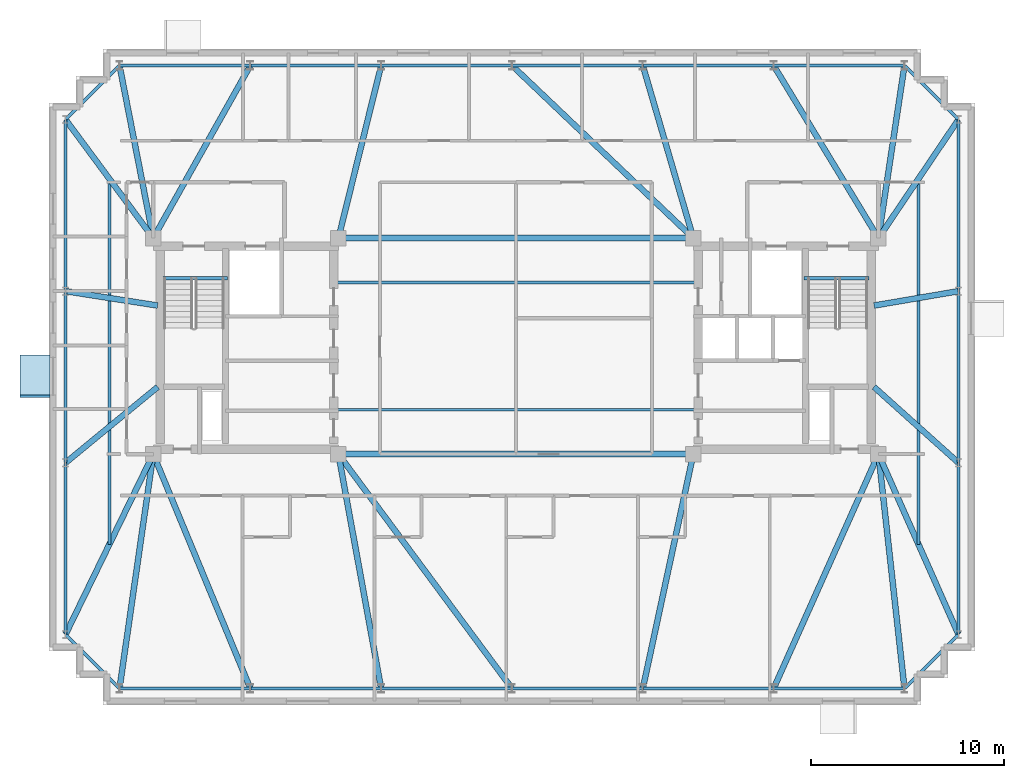
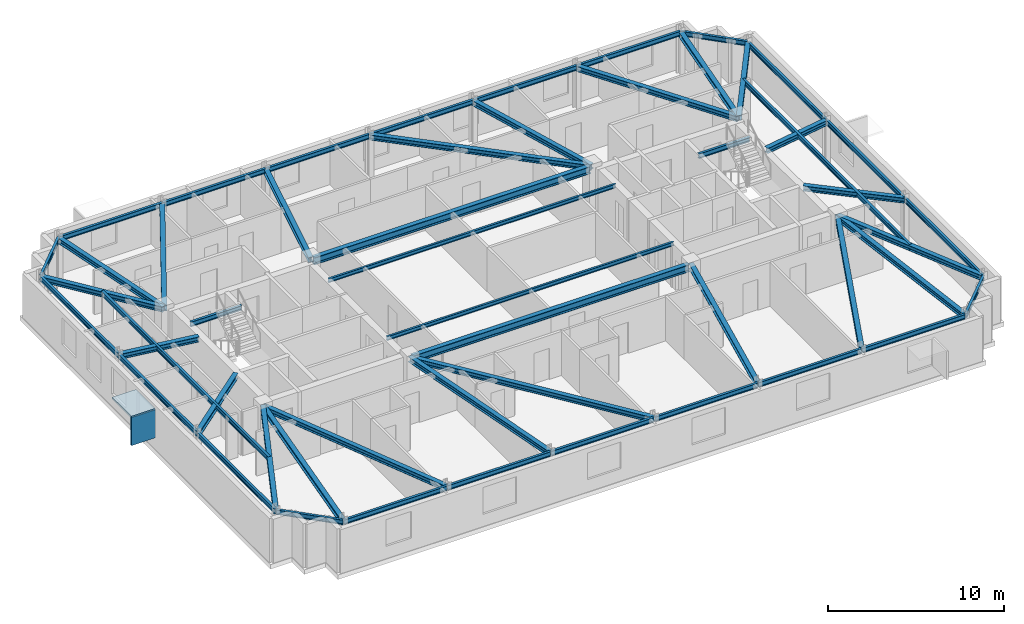
# One storey, part 4 of 11: 52 beams, 2 plates.
"""IFC4 building model written with IfcOpenShell, lengths in metres."""

import ifcopenshell
import ifcopenshell.guid

model = None  # the IFC model being written
_history = None  # IfcOwnerHistory: only IFC2X3 demands one
_inside = {}  # id of a spatial element -> (the spatial element, [elements in it])
_under = {}  # id of a project, library or spatial element -> (it, [spatial elements below it])
_declared = {}  # id of a project -> (the project, [libraries it declares])
_typed = {}  # id of a type object -> (the type object, [elements of that type])
_made_of = {}  # id of a material, layer set ... -> (it, [elements and type objects made of it])


def new_model(schema):
    """Start an empty IFC model of exactly this schema.

    Asked for "IFC4X3", IfcOpenShell would pick the latest addendum, in which some entities
    have other attributes; the version numbers below select the first issue.
    IFC2X3 requires an IfcOwnerHistory on every rooted entity: one is made here for all.
    """
    global model, _history
    if schema == "IFC4X3":
        model = ifcopenshell.file(schema_version=(4, 3, 0, 0))
    else:
        model = ifcopenshell.file(schema=schema)
    _inside.clear()
    _under.clear()
    _declared.clear()
    _typed.clear()
    _made_of.clear()
    _history = None
    if model.schema == "IFC2X3":
        org = make("IfcOrganization", Name="unknown")
        user = make(
            "IfcPersonAndOrganization",
            ThePerson=make("IfcPerson", FamilyName="unknown"),
            TheOrganization=org,
        )
        app = make(
            "IfcApplication",
            ApplicationDeveloper=org,
            Version="unknown",
            ApplicationFullName="unknown",
            ApplicationIdentifier="unknown",
        )
        _history = make(
            "IfcOwnerHistory",
            OwningUser=user,
            OwningApplication=app,
            ChangeAction="ADDED",
            CreationDate=0,
        )
    return model


def make(cls, **values):
    """One entity of the class cls with the attributes given. An attribute that is None is left unset."""
    return model.create_entity(
        cls, **{name: value for name, value in values.items() if value is not None}
    )


def rooted(cls, **values):
    """An entity with a GlobalId (a new one), such as an element, a storey or a relation."""
    return make(cls, GlobalId=ifcopenshell.guid.new(), OwnerHistory=_history, **values)


def si_unit(unit_type, name, prefix=None):
    """IfcSIUnit, for example si_unit("LENGTHUNIT", "METRE", prefix="MILLI")."""
    return make("IfcSIUnit", UnitType=unit_type, Prefix=prefix, Name=name)


def assignment(units):
    """IfcUnitAssignment: the units of a project."""
    return None if units is None else make("IfcUnitAssignment", Units=units)


def point(xyz):
    """IfcCartesianPoint."""
    return None if xyz is None else make("IfcCartesianPoint", Coordinates=xyz)


def direction(xyz):
    """IfcDirection."""
    return None if xyz is None else make("IfcDirection", DirectionRatios=xyz)


def frame(location, z_axis=None, x_axis=None):
    """IfcAxis2Placement3D, a coordinate frame: its origin and axes. An axis left out is left unset."""
    return make(
        "IfcAxis2Placement3D",
        Location=point(location),
        Axis=direction(z_axis),
        RefDirection=direction(x_axis),
    )


def frame_2d(location, x_axis=None):
    """IfcAxis2Placement2D, a coordinate frame in the plane: its origin and x axis."""
    return make(
        "IfcAxis2Placement2D", Location=point(location), RefDirection=direction(x_axis)
    )


def origin():
    """The frame at (0, 0, 0) with its axes left unset."""
    return frame((0.0, 0.0, 0.0))


def origin_2d():
    """The frame at (0, 0) in the plane with its x axis left unset."""
    return frame_2d((0.0, 0.0))


def place(relative_to, where):
    """IfcLocalPlacement: puts the frame where relative to a parent placement (None: the world)."""
    return make(
        "IfcLocalPlacement", PlacementRelTo=relative_to, RelativePlacement=where
    )


def context(
    kind, dimensions, precision=None, world=None, true_north=None, identifier=None
):
    """IfcGeometricRepresentationContext, for example the 3D "Model" context."""
    return make(
        "IfcGeometricRepresentationContext",
        ContextIdentifier=identifier,
        ContextType=kind,
        CoordinateSpaceDimension=dimensions,
        Precision=precision,
        WorldCoordinateSystem=world,
        TrueNorth=true_north,
    )


def subcontext(parent, identifier, kind, view, scale=None):
    """IfcGeometricRepresentationSubContext, for example "Body" below "Model"."""
    return make(
        "IfcGeometricRepresentationSubContext",
        ContextIdentifier=identifier,
        ContextType=kind,
        ParentContext=parent,
        TargetScale=scale,
        TargetView=view,
    )


def project(units=None, contexts=None):
    """IfcProject with its units and contexts."""
    return rooted(
        "IfcProject",
        Name="project",
        RepresentationContexts=contexts,
        UnitsInContext=assignment(units),
    )


def spatial(cls, under=None, at=None, **own):
    """A site, building, storey or space (cls), placed at a placement, below another one or the project."""
    s = rooted(cls, ObjectPlacement=at, **own)
    if under is not None:
        _under.setdefault(under.id(), (under, []))[1].append(s)
    return s


def profile(cls, at=None, kind="AREA", **sizes):
    """A parametric profile (cls). Its sizes go by their IFC names, for example OverallWidth=200.0."""
    return make(cls, ProfileType=kind, Position=at, **sizes)


def rectangle(**sizes):
    """IfcRectangleProfileDef."""
    return profile("IfcRectangleProfileDef", **sizes)


def i_section(**sizes):
    """IfcIShapeProfileDef."""
    return profile("IfcIShapeProfileDef", **sizes)


def extrude(swept, where, along, depth):
    """IfcExtrudedAreaSolid: the profile swept, set in the frame where, extruded along a direction by depth."""
    return make(
        "IfcExtrudedAreaSolid",
        SweptArea=swept,
        Position=where,
        ExtrudedDirection=direction(along),
        Depth=depth,
    )


def shape(context_of_items, identifier, shape_type, items):
    """IfcShapeRepresentation: the items that make up one representation, for example the "Body"."""
    return make(
        "IfcShapeRepresentation",
        ContextOfItems=context_of_items,
        RepresentationIdentifier=identifier,
        RepresentationType=shape_type,
        Items=items,
    )


def material(Name=None, Category=None):
    """IfcMaterial."""
    return make("IfcMaterial", Name=Name, Category=Category)


def layer(
    of_material, thickness, ventilated=None, Name=None, Category=None, Priority=None
):
    """IfcMaterialLayer: one layer of a wall or slab, of a material (None: an air gap)."""
    return make(
        "IfcMaterialLayer",
        Material=of_material,
        LayerThickness=thickness,
        IsVentilated=ventilated,
        Name=Name,
        Category=Category,
        Priority=Priority,
    )


def layer_set(layers, Name=None):
    """IfcMaterialLayerSet."""
    return make("IfcMaterialLayerSet", MaterialLayers=layers, LayerSetName=Name)


def material_profile(
    of_material, cross_section, Name=None, Category=None, Priority=None
):
    """IfcMaterialProfile: a cross section and its material."""
    return make(
        "IfcMaterialProfile",
        Name=Name,
        Material=of_material,
        Profile=cross_section,
        Priority=Priority,
        Category=Category,
    )


def profile_set(profiles, Name=None, composite=None):
    """IfcMaterialProfileSet."""
    return make(
        "IfcMaterialProfileSet",
        Name=Name,
        MaterialProfiles=profiles,
        CompositeProfile=composite,
    )


def made_of(thing, what):
    """Note that an element or type object is made of a material, layer set ...; save() writes the relation."""
    if what is not None:
        _made_of.setdefault(what.id(), (what, []))[1].append(thing)
    return thing


def type_object(cls, material=None, **own):
    """A type object (cls), such as IfcWallType, which elements share."""
    return made_of(rooted(cls, **own), material)


def element(
    cls,
    number,
    at=None,
    inside=None,
    cuts=None,
    type_object=None,
    material=None,
    context=None,
    identifier="Body",
    shape_type=None,
    held_by="IfcProductDefinitionShape",
    body=None,
    shapes=None,
    **own,
):
    """One element of the class cls, such as IfcWall. Its Tag is "e" and its number.

    at: its placement. inside: the storey or other place that contains it. cuts: it is an
    opening in that element (IfcRelVoidsElement). A single representation is given by context,
    identifier, shape_type and body (its items); several are given by shapes. held_by: the class
    of the entity that holds the representations. save() writes the other relations.
    """
    e = rooted(cls, Tag="e%d" % number, ObjectPlacement=at, **own)
    if body is not None:
        shapes = [shape(context, identifier, shape_type, body)]
    if shapes is not None:
        e.Representation = make(held_by, Representations=shapes)
    if inside is not None:
        _inside.setdefault(inside.id(), (inside, []))[1].append(e)
    if cuts is not None:
        rooted(
            "IfcRelVoidsElement", RelatingBuildingElement=cuts, RelatedOpeningElement=e
        )
    if type_object is not None:
        _typed.setdefault(type_object.id(), (type_object, []))[1].append(e)
    return made_of(e, material)


def aggregate(whole, parts):
    """IfcRelAggregates: a whole, such as a stair, and the parts it consists of."""
    return rooted("IfcRelAggregates", RelatingObject=whole, RelatedObjects=parts)


def save(model, path):
    """Write the relations noted so far, then the file.

    IfcRelAggregates (storeys below a building ...), IfcRelContainedInSpatialStructure (elements
    in a storey), IfcRelDefinesByType, IfcRelAssociatesMaterial and IfcRelDeclares: one each for
    every whole, place, type object, material and project.
    """
    for whole, parts in _under.values():
        aggregate(whole, parts)
    for where, things in _inside.values():
        rooted(
            "IfcRelContainedInSpatialStructure",
            RelatedElements=things,
            RelatingStructure=where,
        )
    for kind, things in _typed.values():
        rooted("IfcRelDefinesByType", RelatedObjects=things, RelatingType=kind)
    for what, things in _made_of.values():
        rooted("IfcRelAssociatesMaterial", RelatedObjects=things, RelatingMaterial=what)
    for by, libraries in _declared.values():
        rooted("IfcRelDeclares", RelatingContext=by, RelatedDefinitions=libraries)
    model.write(path)


model = new_model("IFC4")

# Units and contexts
model_context = context("Model", 3, precision=1e-05, world=origin(), true_north=direction((0.0, 1.0)))
body_context = subcontext(model_context, "Body", "Model", "MODEL_VIEW")
ifc_project = project(units=[si_unit("LENGTHUNIT", "METRE"), si_unit("AREAUNIT", "SQUARE_METRE"), si_unit("VOLUMEUNIT", "CUBIC_METRE"), si_unit("PLANEANGLEUNIT", "RADIAN"), si_unit("MASSUNIT", "GRAM", prefix="KILO")], contexts=[model_context])

# Site, building, storey
site_placement = place(None, origin())
site = spatial("IfcSite", under=ifc_project, at=site_placement, CompositionType="ELEMENT")
building_placement = place(site_placement, origin())
building = spatial("IfcBuilding", under=site, at=building_placement, Name="Qobustan Lattice House", CompositionType="ELEMENT")
storey_placement = place(building_placement, frame((0.0, 0.0, 245.050048828125)))
storey = spatial("IfcBuildingStorey", under=building, at=storey_placement, Name="L69", CompositionType="ELEMENT", Elevation=245.050048828125)

# Beams
ifc_material_1 = material(Name="Steel S355", Category="steel")
ifc_material_profile_1 = material_profile(ifc_material_1, i_section(OverallWidth=0.300048828125, OverallDepth=0.5, WebThickness=0.014404296875, FlangeThickness=0.028076171875, FilletRadius=0.027099609375, at=origin_2d()), Name="HEB500")
ifc_profile_set_1 = profile_set([ifc_material_profile_1], Name="Steel S355")
beam_type_1 = type_object("IfcBeamType", Name="BM-CG-HEB500", PredefinedType="USERDEFINED", material=ifc_profile_set_1)
for number, where, z_axis, x_axis, name in (
    (1, (-9.050048828125, -5.60009765625, 2.7900390625), (1.0, 0.0, 0.0), (0.0, 1.0, 0.0), "L69 core spine girder CG-CS"),
    (2, (-9.050048828125, 5.60009765625, 2.7900390625), (1.0, 0.0, 0.0), (0.0, 1.0, 0.0), "L69 core spine girder CG-CN"),
):
    element("IfcBeam", number, at=place(storey_placement, frame(where, z_axis=z_axis, x_axis=x_axis)), inside=storey, type_object=beam_type_1, Name=name, ObjectType="GIRDER", PredefinedType="USERDEFINED", context=body_context, shape_type="SweptSolid", body=[
        extrude(i_section(OverallWidth=0.300048828125, OverallDepth=0.5, WebThickness=0.014404296875, FlangeThickness=0.028076171875, FilletRadius=0.027099609375, at=origin_2d()), origin(), (0.0, 0.0, 1.0), 18.10009765625),
    ])
ifc_material_2 = material(Name="Steel S355", Category="steel")
ifc_material_profile_2 = material_profile(ifc_material_2, i_section(OverallWidth=0.300048828125, OverallDepth=0.360107421875, WebThickness=0.012451171875, FlangeThickness=0.0224609375, FilletRadius=0.027099609375, at=origin_2d()), Name="HEB360")
ifc_profile_set_2 = profile_set([ifc_material_profile_2], Name="Steel S355")
beam_type_2 = type_object("IfcBeamType", Name="BM-FLG-HEB360", PredefinedType="USERDEFINED", material=ifc_profile_set_2)
beam_1_placement = place(storey_placement, frame((-20.54638671875, -17.725341796875, 2.85986328125), z_axis=(0.142545171265, 0.989788297642, 0.0), x_axis=(-0.989788297642, 0.142545171265, 0.0)))
element("IfcBeam", 3, at=beam_1_placement, inside=storey, type_object=beam_type_2, Name="L69 primary floor girder RAD-S1W", ObjectType="GIRDER", PredefinedType="USERDEFINED", context=body_context, shape_type="SweptSolid", body=[
    extrude(i_section(OverallWidth=0.300048828125, OverallDepth=0.360107421875, WebThickness=0.012451171875, FlangeThickness=0.0224609375, FilletRadius=0.027099609375, at=origin_2d()), origin(), (0.0, 0.0, 1.0), 12.225341796875),
])
beam_2_placement = place(storey_placement, frame((-13.7763671875, -17.726806640625, 2.85986328125), z_axis=(-0.38270783551, 0.92386942402, 0.0), x_axis=(-0.92386942402, -0.38270783551, 0.0)))
element("IfcBeam", 4, at=beam_2_placement, inside=storey, type_object=beam_type_2, Name="L69 primary floor girder RAD-S2", ObjectType="GIRDER", PredefinedType="USERDEFINED", context=body_context, shape_type="SweptSolid", body=[
    extrude(i_section(OverallWidth=0.300048828125, OverallDepth=0.360107421875, WebThickness=0.012451171875, FlangeThickness=0.0224609375, FilletRadius=0.027099609375, at=origin_2d()), origin(), (0.0, 0.0, 1.0), 13.10107421875),
])
beam_3_placement = place(storey_placement, frame((-6.98779296875, -17.725341796875, 2.85986328125), z_axis=(-0.179484493831, 0.983760802469, 0.0), x_axis=(-0.983760802469, -0.179484493831, 0.0)))
element("IfcBeam", 5, at=beam_3_placement, inside=storey, type_object=beam_type_2, Name="L69 primary floor girder RAD-S3", ObjectType="GIRDER", PredefinedType="USERDEFINED", context=body_context, shape_type="SweptSolid", body=[
    extrude(i_section(OverallWidth=0.300048828125, OverallDepth=0.360107421875, WebThickness=0.012451171875, FlangeThickness=0.0224609375, FilletRadius=0.027099609375, at=origin_2d()), origin(), (0.0, 0.0, 1.0), 12.300537109375),
])
beam_4_placement = place(storey_placement, frame((-0.21484375, -17.72998046875, 2.85986328125), z_axis=(-0.595225226069, 0.803558915233, 0.0), x_axis=(-0.803558915233, -0.595225226069, 0.0)))
element("IfcBeam", 6, at=beam_4_placement, inside=storey, type_object=beam_type_2, Name="L69 primary floor girder RAD-S4", ObjectType="GIRDER", PredefinedType="USERDEFINED", context=body_context, shape_type="SweptSolid", body=[
    extrude(i_section(OverallWidth=0.300048828125, OverallDepth=0.360107421875, WebThickness=0.012451171875, FlangeThickness=0.0224609375, FilletRadius=0.027099609375, at=origin_2d()), origin(), (0.0, 0.0, 1.0), 15.0703125),
])
beam_5_placement = place(storey_placement, frame((6.588623046875, -17.7255859375, 2.85986328125), z_axis=(0.210523018319, 0.977588900693, 0.0), x_axis=(-0.977588900693, 0.210523018319, 0.0)))
element("IfcBeam", 7, at=beam_5_placement, inside=storey, type_object=beam_type_2, Name="L69 primary floor girder RAD-S5", ObjectType="GIRDER", PredefinedType="USERDEFINED", context=body_context, shape_type="SweptSolid", body=[
    extrude(i_section(OverallWidth=0.300048828125, OverallDepth=0.360107421875, WebThickness=0.012451171875, FlangeThickness=0.0224609375, FilletRadius=0.027099609375, at=origin_2d()), origin(), (0.0, 0.0, 1.0), 12.37841796875),
])
beam_6_placement = place(storey_placement, frame((13.376953125, -17.727294921875, 2.85986328125), z_axis=(0.408219903586, 0.912883623643, 0.0), x_axis=(-0.912883623643, 0.408219903586, 0.0)))
element("IfcBeam", 8, at=beam_6_placement, inside=storey, type_object=beam_type_2, Name="L69 primary floor girder RAD-S6", ObjectType="GIRDER", PredefinedType="USERDEFINED", context=body_context, shape_type="SweptSolid", body=[
    extrude(i_section(OverallWidth=0.300048828125, OverallDepth=0.360107421875, WebThickness=0.012451171875, FlangeThickness=0.0224609375, FilletRadius=0.027099609375, at=origin_2d()), origin(), (0.0, 0.0, 1.0), 13.259521484375),
])
beam_7_placement = place(storey_placement, frame((20.147216796875, -17.72509765625, 2.85986328125), z_axis=(-0.110431526075, 0.993883734674, 0.0), x_axis=(-0.993883734674, -0.110431526075, 0.0)))
element("IfcBeam", 9, at=beam_7_placement, inside=storey, type_object=beam_type_2, Name="L69 primary floor girder RAD-S7E", ObjectType="GIRDER", PredefinedType="USERDEFINED", context=body_context, shape_type="SweptSolid", body=[
    extrude(i_section(OverallWidth=0.300048828125, OverallDepth=0.360107421875, WebThickness=0.012451171875, FlangeThickness=0.0224609375, FilletRadius=0.027099609375, at=origin_2d()), origin(), (0.0, 0.0, 1.0), 12.1748046875),
])
beam_8_placement = place(storey_placement, frame((-20.545166015625, 14.525390625, 2.85986328125), z_axis=(0.191905644581, -0.981413380578, 0.0), x_axis=(0.981413380578, 0.191905644581, 0.0)))
element("IfcBeam", 10, at=beam_8_placement, inside=storey, type_object=beam_type_2, Name="L69 primary floor girder RAD-N7W", ObjectType="GIRDER", PredefinedType="USERDEFINED", context=body_context, shape_type="SweptSolid", body=[
    extrude(i_section(OverallWidth=0.300048828125, OverallDepth=0.360107421875, WebThickness=0.012451171875, FlangeThickness=0.0224609375, FilletRadius=0.027099609375, at=origin_2d()), origin(), (0.0, 0.0, 1.0), 9.0693359375),
])
beam_9_placement = place(storey_placement, frame((-13.779052734375, 14.5283203125, 2.85986328125), z_axis=(-0.490160276962, -0.871632320929, 0.0), x_axis=(0.871632320929, -0.490160276962, 0.0)))
element("IfcBeam", 11, at=beam_9_placement, inside=storey, type_object=beam_type_2, Name="L69 primary floor girder RAD-N6", ObjectType="GIRDER", PredefinedType="USERDEFINED", context=body_context, shape_type="SweptSolid", body=[
    extrude(i_section(OverallWidth=0.300048828125, OverallDepth=0.360107421875, WebThickness=0.012451171875, FlangeThickness=0.0224609375, FilletRadius=0.027099609375, at=origin_2d()), origin(), (0.0, 0.0, 1.0), 10.21826171875),
])
beam_10_placement = place(storey_placement, frame((-6.9892578125, 14.525634765625, 2.85986328125), z_axis=(-0.240430288899, -0.970666408289, 0.0), x_axis=(0.970666408289, -0.240430288899, 0.0)))
element("IfcBeam", 12, at=beam_10_placement, inside=storey, type_object=beam_type_2, Name="L69 primary floor girder RAD-N5", ObjectType="GIRDER", PredefinedType="USERDEFINED", context=body_context, shape_type="SweptSolid", body=[
    extrude(i_section(OverallWidth=0.300048828125, OverallDepth=0.360107421875, WebThickness=0.012451171875, FlangeThickness=0.0224609375, FilletRadius=0.027099609375, at=origin_2d()), origin(), (0.0, 0.0, 1.0), 9.17041015625),
])
beam_11_placement = place(storey_placement, frame((-0.181884765625, 14.53271484375, 2.85986328125), z_axis=(0.724228633775, -0.689559921995, 0.0), x_axis=(0.689559921995, 0.724228633775, 0.0)))
element("IfcBeam", 13, at=beam_11_placement, inside=storey, type_object=beam_type_2, Name="L69 primary floor girder RAD-N4", ObjectType="GIRDER", PredefinedType="USERDEFINED", context=body_context, shape_type="SweptSolid", body=[
    extrude(i_section(OverallWidth=0.300048828125, OverallDepth=0.360107421875, WebThickness=0.012451171875, FlangeThickness=0.0224609375, FilletRadius=0.027099609375, at=origin_2d()), origin(), (0.0, 0.0, 1.0), 12.92919921875),
])
beam_12_placement = place(storey_placement, frame((6.59033203125, 14.52587890625, 2.85986328125), z_axis=(0.28063676088, -0.959814048888, 0.0), x_axis=(0.959814048888, 0.28063676088, 0.0)))
element("IfcBeam", 14, at=beam_12_placement, inside=storey, type_object=beam_type_2, Name="L69 primary floor girder RAD-N3", ObjectType="GIRDER", PredefinedType="USERDEFINED", context=body_context, shape_type="SweptSolid", body=[
    extrude(i_section(OverallWidth=0.300048828125, OverallDepth=0.360107421875, WebThickness=0.012451171875, FlangeThickness=0.0224609375, FilletRadius=0.027099609375, at=origin_2d()), origin(), (0.0, 0.0, 1.0), 9.274658203125),
])
beam_13_placement = place(storey_placement, frame((13.379638671875, 14.528564453125, 2.85986328125), z_axis=(0.518943895492, -0.854808302096, 0.0), x_axis=(0.854808302096, 0.518943895492, 0.0)))
element("IfcBeam", 15, at=beam_13_placement, inside=storey, type_object=beam_type_2, Name="L69 primary floor girder RAD-N2", ObjectType="GIRDER", PredefinedType="USERDEFINED", context=body_context, shape_type="SweptSolid", body=[
    extrude(i_section(OverallWidth=0.300048828125, OverallDepth=0.360107421875, WebThickness=0.012451171875, FlangeThickness=0.0224609375, FilletRadius=0.027099609375, at=origin_2d()), origin(), (0.0, 0.0, 1.0), 10.420166015625),
])
beam_14_placement = place(storey_placement, frame((20.146240234375, 14.525390625, 2.85986328125), z_axis=(-0.149148118249, -0.988814865798, 0.0), x_axis=(0.988814865798, -0.149148118249, 0.0)))
element("IfcBeam", 16, at=beam_14_placement, inside=storey, type_object=beam_type_2, Name="L69 primary floor girder RAD-N1E", ObjectType="GIRDER", PredefinedType="USERDEFINED", context=body_context, shape_type="SweptSolid", body=[
    extrude(i_section(OverallWidth=0.300048828125, OverallDepth=0.360107421875, WebThickness=0.012451171875, FlangeThickness=0.0224609375, FilletRadius=0.027099609375, at=origin_2d()), origin(), (0.0, 0.0, 1.0), 9.001220703125),
])
beam_15_placement = place(storey_placement, frame((-23.335205078125, 11.72998046875, 2.85986328125), z_axis=(0.594754993974, -0.80390702021, 0.0), x_axis=(0.80390702021, 0.594754993974, 0.0)))
element("IfcBeam", 17, at=beam_15_placement, inside=storey, type_object=beam_type_2, Name="L69 primary floor girder RAD-W1", ObjectType="GIRDER", PredefinedType="USERDEFINED", context=body_context, shape_type="SweptSolid", body=[
    extrude(i_section(OverallWidth=0.300048828125, OverallDepth=0.360107421875, WebThickness=0.012451171875, FlangeThickness=0.0224609375, FilletRadius=0.027099609375, at=origin_2d()), origin(), (0.0, 0.0, 1.0), 7.60009765625),
])
beam_16_placement = place(storey_placement, frame((-23.3251953125, 2.84619140625, 2.85986328125), z_axis=(0.988014453876, -0.154361390677, 0.0), x_axis=(0.154361390677, 0.988014453876, 0.0)))
element("IfcBeam", 18, at=beam_16_placement, inside=storey, type_object=beam_type_2, Name="L69 primary floor girder RAD-W2", ObjectType="GIRDER", PredefinedType="USERDEFINED", context=body_context, shape_type="SweptSolid", body=[
    extrude(i_section(OverallWidth=0.300048828125, OverallDepth=0.360107421875, WebThickness=0.012451171875, FlangeThickness=0.0224609375, FilletRadius=0.027099609375, at=origin_2d()), origin(), (0.0, 0.0, 1.0), 4.80810546875),
])
beam_17_placement = place(storey_placement, frame((-23.330810546875, -6.0341796875, 2.85986328125), z_axis=(0.772169041192, 0.635417163621, 0.0), x_axis=(-0.635417163621, 0.772169041192, 0.0)))
element("IfcBeam", 19, at=beam_17_placement, inside=storey, type_object=beam_type_2, Name="L69 primary floor girder RAD-W3", ObjectType="GIRDER", PredefinedType="USERDEFINED", context=body_context, shape_type="SweptSolid", body=[
    extrude(i_section(OverallWidth=0.300048828125, OverallDepth=0.360107421875, WebThickness=0.012451171875, FlangeThickness=0.0224609375, FilletRadius=0.027099609375, at=origin_2d()), origin(), (0.0, 0.0, 1.0), 6.166259765625),
])
beam_18_placement = place(storey_placement, frame((-23.339111328125, -14.927490234375, 2.85986328125), z_axis=(0.437590490598, 0.899174378271, 0.0), x_axis=(-0.899174378271, 0.437590490598, 0.0)))
element("IfcBeam", 20, at=beam_18_placement, inside=storey, type_object=beam_type_2, Name="L69 primary floor girder RAD-W4", ObjectType="GIRDER", PredefinedType="USERDEFINED", context=body_context, shape_type="SweptSolid", body=[
    extrude(i_section(OverallWidth=0.300048828125, OverallDepth=0.360107421875, WebThickness=0.012451171875, FlangeThickness=0.0224609375, FilletRadius=0.027099609375, at=origin_2d()), origin(), (0.0, 0.0, 1.0), 10.348388671875),
])
beam_19_placement = place(storey_placement, frame((22.93603515625, 11.729248046875, 2.85986328125), z_axis=(-0.559355068937, -0.828928167488, 0.0), x_axis=(0.828928167488, -0.559355068937, 0.0)))
element("IfcBeam", 21, at=beam_19_placement, inside=storey, type_object=beam_type_2, Name="L69 primary floor girder RAD-E4", ObjectType="GIRDER", PredefinedType="USERDEFINED", context=body_context, shape_type="SweptSolid", body=[
    extrude(i_section(OverallWidth=0.300048828125, OverallDepth=0.360107421875, WebThickness=0.012451171875, FlangeThickness=0.0224609375, FilletRadius=0.027099609375, at=origin_2d()), origin(), (0.0, 0.0, 1.0), 7.369384765625),
])
beam_20_placement = place(storey_placement, frame((22.92529296875, 2.845703125, 2.85986328125), z_axis=(-0.985786297247, -0.168004095664, 0.0), x_axis=(0.168004095664, -0.985786297247, 0.0)))
element("IfcBeam", 22, at=beam_20_placement, inside=storey, type_object=beam_type_2, Name="L69 primary floor girder RAD-E3", ObjectType="GIRDER", PredefinedType="USERDEFINED", context=body_context, shape_type="SweptSolid", body=[
    extrude(i_section(OverallWidth=0.300048828125, OverallDepth=0.360107421875, WebThickness=0.012451171875, FlangeThickness=0.0224609375, FilletRadius=0.027099609375, at=origin_2d()), origin(), (0.0, 0.0, 1.0), 4.413330078125),
])
beam_21_placement = place(storey_placement, frame((22.931396484375, -6.033203125, 2.85986328125), z_axis=(-0.744142492307, 0.668020921186, 0.0), x_axis=(-0.668020921186, -0.744142492307, 0.0)))
element("IfcBeam", 23, at=beam_21_placement, inside=storey, type_object=beam_type_2, Name="L69 primary floor girder RAD-E2", ObjectType="GIRDER", PredefinedType="USERDEFINED", context=body_context, shape_type="SweptSolid", body=[
    extrude(i_section(OverallWidth=0.300048828125, OverallDepth=0.360107421875, WebThickness=0.012451171875, FlangeThickness=0.0224609375, FilletRadius=0.027099609375, at=origin_2d()), origin(), (0.0, 0.0, 1.0), 5.86279296875),
])
beam_22_placement = place(storey_placement, frame((22.93994140625, -14.927001953125, 2.85986328125), z_axis=(-0.405702269061, 0.914005289306, 0.0), x_axis=(-0.914005289306, -0.405702269061, 0.0)))
element("IfcBeam", 24, at=beam_22_placement, inside=storey, type_object=beam_type_2, Name="L69 primary floor girder RAD-E1", ObjectType="GIRDER", PredefinedType="USERDEFINED", context=body_context, shape_type="SweptSolid", body=[
    extrude(i_section(OverallWidth=0.300048828125, OverallDepth=0.360107421875, WebThickness=0.012451171875, FlangeThickness=0.0224609375, FilletRadius=0.027099609375, at=origin_2d()), origin(), (0.0, 0.0, 1.0), 10.1796875),
])
ifc_material_3 = material(Name="Steel S355", Category="steel")
ifc_material_profile_3 = material_profile(ifc_material_3, i_section(OverallWidth=0.135009765625, OverallDepth=0.27001953125, WebThickness=0.006591796875, FlangeThickness=0.01025390625, FilletRadius=0.014892578125, at=origin_2d()), Name="IPE270")
ifc_profile_set_3 = profile_set([ifc_material_profile_3], Name="Steel S355")
beam_type_3 = type_object("IfcBeamType", Name="BM-JST-IPE270", PredefinedType="JOIST", material=ifc_profile_set_3)
for number, where, z_axis, x_axis, name in (
    (25, (-9.39990234375, -3.300048828125, 2.905029296875), (1.0, 0.0, 0.0), (0.0, 1.0, 0.0), "L69 central span floor joist 1"),
    (26, (-9.39990234375, 3.300048828125, 2.905029296875), (1.0, 0.0, 0.0), (0.0, 1.0, 0.0), "L69 central span floor joist 2"),
):
    element("IfcBeam", number, at=place(storey_placement, frame(where, z_axis=z_axis, x_axis=x_axis)), inside=storey, type_object=beam_type_3, Name=name, PredefinedType="JOIST", context=body_context, shape_type="SweptSolid", body=[
        extrude(i_section(OverallWidth=0.135009765625, OverallDepth=0.27001953125, WebThickness=0.006591796875, FlangeThickness=0.01025390625, FilletRadius=0.014892578125, at=origin_2d()), origin(), (0.0, 0.0, 1.0), 18.7998046875),
    ])
ifc_material_4 = material(Name="Steel S355", Category="steel")
ifc_material_profile_4 = material_profile(ifc_material_4, i_section(OverallWidth=0.159912109375, OverallDepth=0.330078125, WebThickness=0.007568359375, FlangeThickness=0.011474609375, FilletRadius=0.01806640625, at=origin_2d()), Name="IPE330")
ifc_profile_set_4 = profile_set([ifc_material_profile_4], Name="Steel S355")
beam_type_4 = type_object("IfcBeamType", Name="BM-SEC-IPE330", PredefinedType="BEAM", material=ifc_profile_set_4)
for number, where, z_axis, x_axis, name in (
    (27, (-21.074951171875, 8.675048828125, 2.875), (0.0, -1.0, 0.0), (1.0, 0.0, 0.0), "L69 west wing secondary beam"),
    (28, (20.875, 8.675048828125, 2.875), (0.0, -1.0, 0.0), (1.0, 0.0, 0.0), "L69 east wing secondary beam"),
):
    element("IfcBeam", number, at=place(storey_placement, frame(where, z_axis=z_axis, x_axis=x_axis)), inside=storey, type_object=beam_type_4, Name=name, PredefinedType="BEAM", context=body_context, shape_type="SweptSolid", body=[
        extrude(i_section(OverallWidth=0.159912109375, OverallDepth=0.330078125, WebThickness=0.007568359375, FlangeThickness=0.011474609375, FilletRadius=0.01806640625, at=origin_2d()), origin(), (0.0, 0.0, 1.0), 18.949951171875),
    ])
ifc_material_5 = material(Name="Steel S355", Category="steel")
ifc_material_profile_5 = material_profile(ifc_material_5, i_section(OverallWidth=0.159912109375, OverallDepth=0.330078125, WebThickness=0.007568359375, FlangeThickness=0.011474609375, FilletRadius=0.01806640625, at=origin_2d()), Name="IPE330")
ifc_profile_set_5 = profile_set([ifc_material_profile_5], Name="Steel S355")
beam_type_5 = type_object("IfcBeamType", Name="BM-SPD-IPE330", PredefinedType="SPANDREL", material=ifc_profile_set_5)
for number, where, z_axis, x_axis, name in (
    (29, (-18.300048828125, 3.52001953125, 2.875), (1.0, 0.0, 0.0), (0.0, 1.0, 0.0), "L69 west stair landing trimmer beam"),
    (30, (14.949951171875, 3.52001953125, 2.875), (1.0, 0.0, 0.0), (0.0, 1.0, 0.0), "L69 east stair landing trimmer beam"),
):
    element("IfcBeam", number, at=place(storey_placement, frame(where, z_axis=z_axis, x_axis=x_axis)), inside=storey, type_object=beam_type_5, Name=name, PredefinedType="SPANDREL", context=body_context, shape_type="SweptSolid", body=[
        extrude(i_section(OverallWidth=0.159912109375, OverallDepth=0.330078125, WebThickness=0.007568359375, FlangeThickness=0.011474609375, FilletRadius=0.01806640625, at=origin_2d()), origin(), (0.0, 0.0, 1.0), 3.35009765625),
    ])
beam_23_placement = place(storey_placement, frame((-20.52490234375, -17.75, 2.875), z_axis=(1.0, 0.0, 0.0), x_axis=(0.0, 1.0, 0.0)))
element("IfcBeam", 31, at=beam_23_placement, inside=storey, type_object=beam_type_5, Name="L69 perimeter spandrel S1-S2", PredefinedType="SPANDREL", context=body_context, shape_type="SweptSolid", body=[
    extrude(i_section(OverallWidth=0.159912109375, OverallDepth=0.330078125, WebThickness=0.007568359375, FlangeThickness=0.011474609375, FilletRadius=0.01806640625, at=origin_2d()), origin(), (0.0, 0.0, 1.0), 6.733154296875),
])
beam_24_placement = place(storey_placement, frame((-13.74169921875, -17.75, 2.875), z_axis=(1.0, 0.0, 0.0), x_axis=(0.0, 1.0, 0.0)))
element("IfcBeam", 32, at=beam_24_placement, inside=storey, type_object=beam_type_5, Name="L69 perimeter spandrel S2-S3", PredefinedType="SPANDREL", context=body_context, shape_type="SweptSolid", body=[
    extrude(i_section(OverallWidth=0.159912109375, OverallDepth=0.330078125, WebThickness=0.007568359375, FlangeThickness=0.011474609375, FilletRadius=0.01806640625, at=origin_2d()), origin(), (0.0, 0.0, 1.0), 6.7333984375),
])
beam_25_placement = place(storey_placement, frame((-6.958251953125, -17.75, 2.875), z_axis=(1.0, 0.0, 0.0), x_axis=(0.0, 1.0, 0.0)))
element("IfcBeam", 33, at=beam_25_placement, inside=storey, type_object=beam_type_5, Name="L69 perimeter spandrel S3-S4", PredefinedType="SPANDREL", context=body_context, shape_type="SweptSolid", body=[
    extrude(i_section(OverallWidth=0.159912109375, OverallDepth=0.330078125, WebThickness=0.007568359375, FlangeThickness=0.011474609375, FilletRadius=0.01806640625, at=origin_2d()), origin(), (0.0, 0.0, 1.0), 6.733154296875),
])
for number, where, z_axis, x_axis, name in (
    (34, (-0.175048828125, -17.75, 2.875), (1.0, 0.0, 0.0), (0.0, 1.0, 0.0), "L69 perimeter spandrel S4-S5"),
    (35, (6.6083984375, -17.75, 2.875), (1.0, 0.0, 0.0), (0.0, 1.0, 0.0), "L69 perimeter spandrel S5-S6"),
    (36, (13.3916015625, -17.75, 2.875), (1.0, 0.0, 0.0), (0.0, 1.0, 0.0), "L69 perimeter spandrel S6-S7"),
):
    element("IfcBeam", number, at=place(storey_placement, frame(where, z_axis=z_axis, x_axis=x_axis)), inside=storey, type_object=beam_type_5, Name=name, PredefinedType="SPANDREL", context=body_context, shape_type="SweptSolid", body=[
        extrude(i_section(OverallWidth=0.159912109375, OverallDepth=0.330078125, WebThickness=0.007568359375, FlangeThickness=0.011474609375, FilletRadius=0.01806640625, at=origin_2d()), origin(), (0.0, 0.0, 1.0), 6.7333984375),
    ])
beam_26_placement = place(storey_placement, frame((20.167724609375, -17.732421875, 2.875), z_axis=(0.707106781187, 0.707106781187, 0.0), x_axis=(-0.707106781187, 0.707106781187, 0.0)))
element("IfcBeam", 37, at=beam_26_placement, inside=storey, type_object=beam_type_5, Name="L69 perimeter spandrel S7-E1", PredefinedType="SPANDREL", context=body_context, shape_type="SweptSolid", body=[
    extrude(i_section(OverallWidth=0.159912109375, OverallDepth=0.330078125, WebThickness=0.007568359375, FlangeThickness=0.011474609375, FilletRadius=0.01806640625, at=origin_2d()), origin(), (0.0, 0.0, 1.0), 3.909912109375),
])
beam_27_placement = place(storey_placement, frame((22.949951171875, -14.925048828125, 2.875), z_axis=(0.0, 1.0, 0.0), x_axis=(-1.0, 0.0, 0.0)))
element("IfcBeam", 38, at=beam_27_placement, inside=storey, type_object=beam_type_5, Name="L69 perimeter spandrel E1-E2", PredefinedType="SPANDREL", context=body_context, shape_type="SweptSolid", body=[
    extrude(i_section(OverallWidth=0.159912109375, OverallDepth=0.330078125, WebThickness=0.007568359375, FlangeThickness=0.011474609375, FilletRadius=0.01806640625, at=origin_2d()), origin(), (0.0, 0.0, 1.0), 8.85009765625),
])
beam_28_placement = place(storey_placement, frame((22.949951171875, -6.02490234375, 2.875), z_axis=(0.0, 1.0, 0.0), x_axis=(-1.0, 0.0, 0.0)))
element("IfcBeam", 39, at=beam_28_placement, inside=storey, type_object=beam_type_5, Name="L69 perimeter spandrel E2-E3", PredefinedType="SPANDREL", context=body_context, shape_type="SweptSolid", body=[
    extrude(i_section(OverallWidth=0.159912109375, OverallDepth=0.330078125, WebThickness=0.007568359375, FlangeThickness=0.011474609375, FilletRadius=0.01806640625, at=origin_2d()), origin(), (0.0, 0.0, 1.0), 8.849853515625),
])
beam_29_placement = place(storey_placement, frame((22.949951171875, 2.875, 2.875), z_axis=(0.0, 1.0, 0.0), x_axis=(-1.0, 0.0, 0.0)))
element("IfcBeam", 40, at=beam_29_placement, inside=storey, type_object=beam_type_5, Name="L69 perimeter spandrel E3-E4", PredefinedType="SPANDREL", context=body_context, shape_type="SweptSolid", body=[
    extrude(i_section(OverallWidth=0.159912109375, OverallDepth=0.330078125, WebThickness=0.007568359375, FlangeThickness=0.011474609375, FilletRadius=0.01806640625, at=origin_2d()), origin(), (0.0, 0.0, 1.0), 8.85009765625),
])
beam_30_placement = place(storey_placement, frame((22.932373046875, 11.767578125, 2.875), z_axis=(-0.707106781187, 0.707106781187, 0.0), x_axis=(-0.707106781187, -0.707106781187, 0.0)))
element("IfcBeam", 41, at=beam_30_placement, inside=storey, type_object=beam_type_5, Name="L69 perimeter spandrel E4-N1", PredefinedType="SPANDREL", context=body_context, shape_type="SweptSolid", body=[
    extrude(i_section(OverallWidth=0.159912109375, OverallDepth=0.330078125, WebThickness=0.007568359375, FlangeThickness=0.011474609375, FilletRadius=0.01806640625, at=origin_2d()), origin(), (0.0, 0.0, 1.0), 3.909912109375),
])
for number, where, z_axis, x_axis, name in (
    (42, (20.125, 14.550048828125, 2.875), (-1.0, 0.0, 0.0), (0.0, -1.0, 0.0), "L69 perimeter spandrel N1-N2"),
    (43, (13.341796875, 14.550048828125, 2.875), (-1.0, 0.0, 0.0), (0.0, -1.0, 0.0), "L69 perimeter spandrel N2-N3"),
    (44, (6.558349609375, 14.550048828125, 2.875), (-1.0, 0.0, 0.0), (0.0, -1.0, 0.0), "L69 perimeter spandrel N3-N4"),
):
    element("IfcBeam", number, at=place(storey_placement, frame(where, z_axis=z_axis, x_axis=x_axis)), inside=storey, type_object=beam_type_5, Name=name, PredefinedType="SPANDREL", context=body_context, shape_type="SweptSolid", body=[
        extrude(i_section(OverallWidth=0.159912109375, OverallDepth=0.330078125, WebThickness=0.007568359375, FlangeThickness=0.011474609375, FilletRadius=0.01806640625, at=origin_2d()), origin(), (0.0, 0.0, 1.0), 6.7333984375),
    ])
beam_31_placement = place(storey_placement, frame((-0.22509765625, 14.550048828125, 2.875), z_axis=(-1.0, 0.0, 0.0), x_axis=(0.0, -1.0, 0.0)))
element("IfcBeam", 45, at=beam_31_placement, inside=storey, type_object=beam_type_5, Name="L69 perimeter spandrel N4-N5", PredefinedType="SPANDREL", context=body_context, shape_type="SweptSolid", body=[
    extrude(i_section(OverallWidth=0.159912109375, OverallDepth=0.330078125, WebThickness=0.007568359375, FlangeThickness=0.011474609375, FilletRadius=0.01806640625, at=origin_2d()), origin(), (0.0, 0.0, 1.0), 6.733154296875),
])
beam_32_placement = place(storey_placement, frame((-7.00830078125, 14.550048828125, 2.875), z_axis=(-1.0, 0.0, 0.0), x_axis=(0.0, -1.0, 0.0)))
element("IfcBeam", 46, at=beam_32_placement, inside=storey, type_object=beam_type_5, Name="L69 perimeter spandrel N5-N6", PredefinedType="SPANDREL", context=body_context, shape_type="SweptSolid", body=[
    extrude(i_section(OverallWidth=0.159912109375, OverallDepth=0.330078125, WebThickness=0.007568359375, FlangeThickness=0.011474609375, FilletRadius=0.01806640625, at=origin_2d()), origin(), (0.0, 0.0, 1.0), 6.7333984375),
])
beam_33_placement = place(storey_placement, frame((-13.791748046875, 14.550048828125, 2.875), z_axis=(-1.0, 0.0, 0.0), x_axis=(0.0, -1.0, 0.0)))
element("IfcBeam", 47, at=beam_33_placement, inside=storey, type_object=beam_type_5, Name="L69 perimeter spandrel N6-N7", PredefinedType="SPANDREL", context=body_context, shape_type="SweptSolid", body=[
    extrude(i_section(OverallWidth=0.159912109375, OverallDepth=0.330078125, WebThickness=0.007568359375, FlangeThickness=0.011474609375, FilletRadius=0.01806640625, at=origin_2d()), origin(), (0.0, 0.0, 1.0), 6.733154296875),
])
beam_34_placement = place(storey_placement, frame((-20.567626953125, 14.5322265625, 2.875), z_axis=(-0.707106781187, -0.707106781187, 0.0), x_axis=(0.707106781187, -0.707106781187, 0.0)))
element("IfcBeam", 48, at=beam_34_placement, inside=storey, type_object=beam_type_5, Name="L69 perimeter spandrel N7-W1", PredefinedType="SPANDREL", context=body_context, shape_type="SweptSolid", body=[
    extrude(i_section(OverallWidth=0.159912109375, OverallDepth=0.330078125, WebThickness=0.007568359375, FlangeThickness=0.011474609375, FilletRadius=0.01806640625, at=origin_2d()), origin(), (0.0, 0.0, 1.0), 3.909912109375),
])
beam_35_placement = place(storey_placement, frame((-23.35009765625, 11.72509765625, 2.875), z_axis=(0.0, -1.0, 0.0), x_axis=(1.0, 0.0, 0.0)))
element("IfcBeam", 49, at=beam_35_placement, inside=storey, type_object=beam_type_5, Name="L69 perimeter spandrel W1-W2", PredefinedType="SPANDREL", context=body_context, shape_type="SweptSolid", body=[
    extrude(i_section(OverallWidth=0.159912109375, OverallDepth=0.330078125, WebThickness=0.007568359375, FlangeThickness=0.011474609375, FilletRadius=0.01806640625, at=origin_2d()), origin(), (0.0, 0.0, 1.0), 8.85009765625),
])
beam_36_placement = place(storey_placement, frame((-23.35009765625, 2.824951171875, 2.875), z_axis=(0.0, -1.0, 0.0), x_axis=(1.0, 0.0, 0.0)))
element("IfcBeam", 50, at=beam_36_placement, inside=storey, type_object=beam_type_5, Name="L69 perimeter spandrel W2-W3", PredefinedType="SPANDREL", context=body_context, shape_type="SweptSolid", body=[
    extrude(i_section(OverallWidth=0.159912109375, OverallDepth=0.330078125, WebThickness=0.007568359375, FlangeThickness=0.011474609375, FilletRadius=0.01806640625, at=origin_2d()), origin(), (0.0, 0.0, 1.0), 8.849853515625),
])
beam_37_placement = place(storey_placement, frame((-23.35009765625, -6.074951171875, 2.875), z_axis=(0.0, -1.0, 0.0), x_axis=(1.0, 0.0, 0.0)))
element("IfcBeam", 51, at=beam_37_placement, inside=storey, type_object=beam_type_5, Name="L69 perimeter spandrel W3-W4", PredefinedType="SPANDREL", context=body_context, shape_type="SweptSolid", body=[
    extrude(i_section(OverallWidth=0.159912109375, OverallDepth=0.330078125, WebThickness=0.007568359375, FlangeThickness=0.011474609375, FilletRadius=0.01806640625, at=origin_2d()), origin(), (0.0, 0.0, 1.0), 8.85009765625),
])
beam_38_placement = place(storey_placement, frame((-23.332275390625, -14.9677734375, 2.875), z_axis=(0.707106781187, -0.707106781187, 0.0), x_axis=(0.707106781187, 0.707106781187, 0.0)))
element("IfcBeam", 52, at=beam_38_placement, inside=storey, type_object=beam_type_5, Name="L69 perimeter spandrel W4-S1", PredefinedType="SPANDREL", context=body_context, shape_type="SweptSolid", body=[
    extrude(i_section(OverallWidth=0.159912109375, OverallDepth=0.330078125, WebThickness=0.007568359375, FlangeThickness=0.011474609375, FilletRadius=0.01806640625, at=origin_2d()), origin(), (0.0, 0.0, 1.0), 3.909912109375),
])

# Plates
ifc_material_6 = material(Name="Qobustan limestone GFRC", Category="masonry")
ifc_layer = layer(ifc_material_6, 0.1201171875)
ifc_layer_set = layer_set([ifc_layer], Name="Qobustan limestone GFRC")
plate_type = type_object("IfcPlateType", Name="SHD-HOOD-BROW", PredefinedType="USERDEFINED", material=ifc_layer_set)
plate_1_placement = place(storey_placement, frame((-24.929931640625, -1.56005859375, 2.699951171875), z_axis=(0.0, 0.0, 1.0), x_axis=(0.0, 1.0, 0.0)))
element("IfcPlate", 53, at=plate_1_placement, inside=storey, type_object=plate_type, Name="L69 splayed Qobustan stone hood brow", ObjectType="SUNSHADE", PredefinedType="USERDEFINED", context=body_context, shape_type="SweptSolid", body=[
    extrude(rectangle(XDim=2.18994140625, YDim=1.56005859375, at=origin_2d()), origin(), (0.0, 0.0, 1.0), 0.1201171875),
])
plate_2_placement = place(storey_placement, frame((-24.929931640625, -2.594970703125, 0.7900390625), z_axis=(0.0, 0.0, 1.0), x_axis=(0.0, 1.0, 0.0)))
element("IfcPlate", 54, at=plate_2_placement, inside=storey, type_object=plate_type, Name="L69 splayed Qobustan stone hood cheek", ObjectType="SUNSHADE", PredefinedType="USERDEFINED", context=body_context, shape_type="SweptSolid", body=[
    extrude(rectangle(XDim=0.1201171875, YDim=1.56005859375, at=origin_2d()), origin(), (0.0, 0.0, 1.0), 1.969970703125),
])

save(model, "model.ifc")
